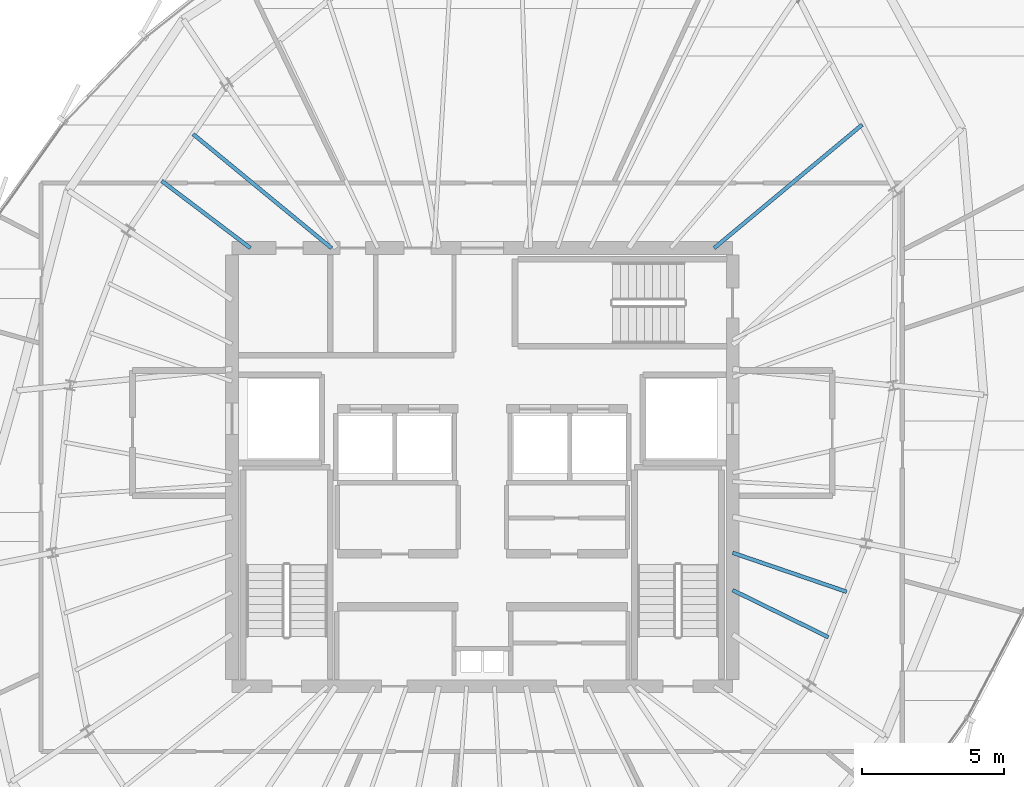
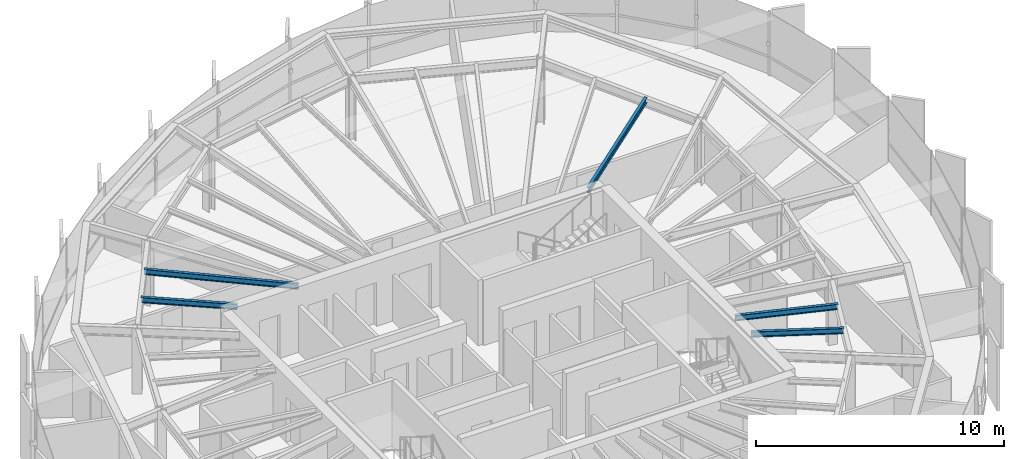
# One storey, part 12 of 33: 5 beams.
"""IFC4 building model written with IfcOpenShell, lengths in metres."""

from ifc_helpers import new_model, si_unit, direction, frame, origin, origin_2d, place, context, subcontext, project, spatial, i_section, extrude, source, transform, mapped, material, material_profile, profile_set, type_object, element, save


model = new_model("IFC4")

# Units and contexts
model_context = context("Model", 3, precision=1e-05, world=origin(), true_north=direction((0.0, 1.0)))
body_context = subcontext(model_context, "Body", "Model", "MODEL_VIEW")
ifc_project = project(units=[si_unit("LENGTHUNIT", "METRE"), si_unit("AREAUNIT", "SQUARE_METRE"), si_unit("VOLUMEUNIT", "CUBIC_METRE"), si_unit("PLANEANGLEUNIT", "RADIAN"), si_unit("MASSUNIT", "GRAM", prefix="KILO"), si_unit("THERMODYNAMICTEMPERATUREUNIT", "KELVIN")], contexts=[model_context])

# Site, building, storey
site_placement = place(None, origin())
site = spatial("IfcSite", under=ifc_project, at=site_placement, CompositionType="ELEMENT")
building_placement = place(site_placement, origin())
building = spatial("IfcBuilding", under=site, at=building_placement, Name="Kethvar Cultural Tower", CompositionType="ELEMENT")
storey_placement = place(building_placement, frame((0.0, 0.0, 238.75)))
storey = spatial("IfcBuildingStorey", under=building, at=storey_placement, Name="L62", CompositionType="ELEMENT", Elevation=238.75)

# Beams
ifc_material = material(Name="Steel S355J2", Category="steel")
ifc_material_profile = material_profile(ifc_material, i_section(OverallWidth=0.135009765625, OverallDepth=0.27001953125, WebThickness=0.006591796875, FlangeThickness=0.01025390625, FilletRadius=0.014892578125, at=origin_2d()), Name="Steel S355J2 — IPE270")
ifc_profile_set = profile_set([ifc_material_profile], Name="Steel S355J2 — IPE270")
beam_type = type_object("IfcBeamType", Name="BM-J270", PredefinedType="JOIST", material=ifc_profile_set)
shared_shape_1 = source(origin(), body_context, "Body", "SweptSolid", [
    extrude(i_section(OverallWidth=0.135009765625, OverallDepth=0.27001953125, WebThickness=0.006591796875, FlangeThickness=0.01025390625, FilletRadius=0.014892578125, at=origin_2d()), origin(), (0.0, 0.0, 1.0), 6.776123046875),
])
beam_1_placement = place(storey_placement, frame((54.949951171875, 35.5, 3.072998046875), z_axis=(0.767801747857, 0.6406875026, 0.0), x_axis=(-0.6406875026, 0.767801747857, 0.0)))
element("IfcBeam", 1, at=beam_1_placement, inside=storey, type_object=beam_type, Name="L62 Composite Floor Joist J-02A", PredefinedType="JOIST", context=body_context, shape_type="MappedRepresentation", body=[
    mapped(shared_shape_1, transform((0.0, 0.0, 0.0), scale=1.0)),
])
shared_shape_2 = source(origin(), body_context, "Body", "SweptSolid", [
    extrude(i_section(OverallWidth=0.135009765625, OverallDepth=0.27001953125, WebThickness=0.006591796875, FlangeThickness=0.01025390625, FilletRadius=0.014892578125, at=origin_2d()), origin(), (0.0, 0.0, 1.0), 6.302978515625),
])
beam_2_placement = place(storey_placement, frame((41.5, 35.5, 3.072998046875), z_axis=(-0.771828477148, 0.635830796567, 0.0), x_axis=(-0.635830796567, -0.771828477148, 0.0)))
element("IfcBeam", 2, at=beam_2_placement, inside=storey, type_object=beam_type, Name="L62 Composite Floor Joist J-06A", PredefinedType="JOIST", context=body_context, shape_type="MappedRepresentation", body=[
    mapped(shared_shape_2, transform((0.0, 0.0, 0.0), scale=1.0)),
])
shared_shape_3 = source(origin(), body_context, "Body", "SweptSolid", [
    extrude(i_section(OverallWidth=0.135009765625, OverallDepth=0.27001953125, WebThickness=0.006591796875, FlangeThickness=0.01025390625, FilletRadius=0.014892578125, at=origin_2d()), origin(), (0.0, 0.0, 1.0), 3.91357421875),
])
beam_3_placement = place(storey_placement, frame((38.64990234375, 35.5, 3.072998046875), z_axis=(-0.797214062325, 0.603696727531, 0.0), x_axis=(-0.603696727531, -0.797214062325, 0.0)))
element("IfcBeam", 3, at=beam_3_placement, inside=storey, type_object=beam_type, Name="L62 Composite Floor Joist J-06B", PredefinedType="JOIST", context=body_context, shape_type="MappedRepresentation", body=[
    mapped(shared_shape_3, transform((0.0, 0.0, 0.0), scale=1.0)),
])
shared_shape_4 = source(origin(), body_context, "Body", "SweptSolid", [
    extrude(i_section(OverallWidth=0.135009765625, OverallDepth=0.27001953125, WebThickness=0.006591796875, FlangeThickness=0.01025390625, FilletRadius=0.014892578125, at=origin_2d()), origin(), (0.0, 0.0, 1.0), 3.75),
])
beam_4_placement = place(storey_placement, frame((55.60009765625, 23.476318359375, 3.072998046875), z_axis=(0.8975046019, -0.441005090184, 0.0), x_axis=(0.441005090184, 0.8975046019, 0.0)))
element("IfcBeam", 4, at=beam_4_placement, inside=storey, type_object=beam_type, Name="L62 Composite Floor Joist J-15A", PredefinedType="JOIST", context=body_context, shape_type="MappedRepresentation", body=[
    mapped(shared_shape_4, transform((0.0, 0.0, 0.0), scale=1.0)),
])
shared_shape_5 = source(origin(), body_context, "Body", "SweptSolid", [
    extrude(i_section(OverallWidth=0.135009765625, OverallDepth=0.27001953125, WebThickness=0.006591796875, FlangeThickness=0.01025390625, FilletRadius=0.014892578125, at=origin_2d()), origin(), (0.0, 0.0, 1.0), 4.232421875),
])
beam_5_placement = place(storey_placement, frame((55.60009765625, 24.7900390625, 3.072998046875), z_axis=(0.946173747357, -0.323659141402, 0.0), x_axis=(0.323659141402, 0.946173747357, 0.0)))
element("IfcBeam", 5, at=beam_5_placement, inside=storey, type_object=beam_type, Name="L62 Composite Floor Joist J-15B", PredefinedType="JOIST", context=body_context, shape_type="MappedRepresentation", body=[
    mapped(shared_shape_5, transform((0.0, 0.0, 0.0), scale=1.0)),
])

save(model, "model.ifc")
